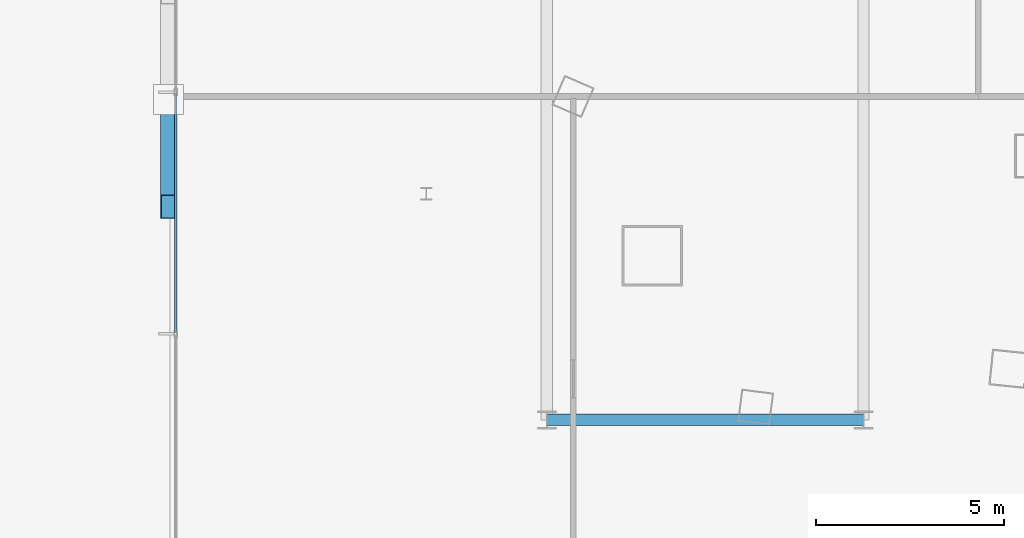
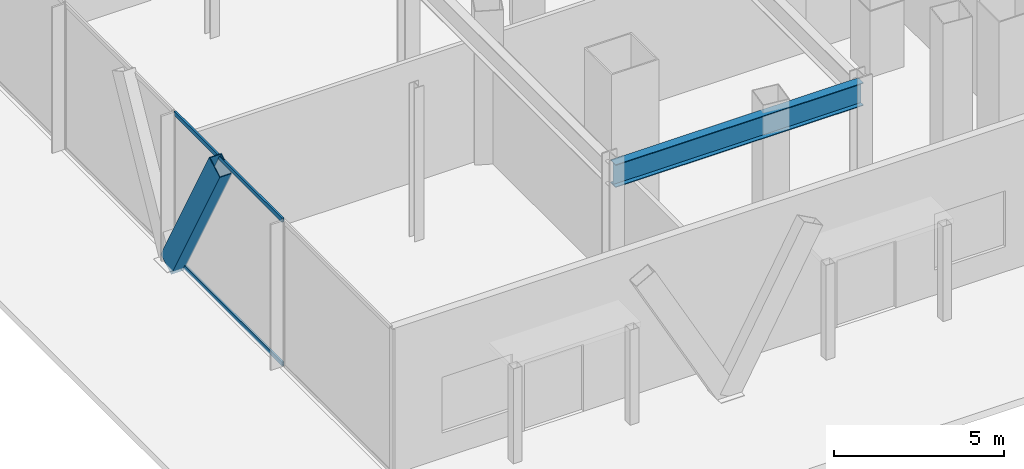
# One storey, part 6 of 38: 3 members, 1 beam, 1 element without a shape of its own.
"""IFC4 building model written with IfcOpenShell, lengths in metres."""

from ifc_helpers import new_model, si_unit, direction, frame, origin, origin_2d, place, context, subcontext, project, spatial, hollow_rectangle, i_section, extrude, material, layer, layer_set, material_profile, profile_set, type_object, element, aggregate, save


model = new_model("IFC4")

# Units and contexts
model_context = context("Model", 3, precision=1e-05, world=origin(), true_north=direction((0.0, 1.0)))
body_context = subcontext(model_context, "Body", "Model", "MODEL_VIEW")
ifc_project = project(units=[si_unit("LENGTHUNIT", "METRE"), si_unit("AREAUNIT", "SQUARE_METRE"), si_unit("VOLUMEUNIT", "CUBIC_METRE"), si_unit("PLANEANGLEUNIT", "RADIAN"), si_unit("MASSUNIT", "GRAM", prefix="KILO")], contexts=[model_context])

# Site, building, storey
site_placement = place(None, origin())
site = spatial("IfcSite", under=ifc_project, at=site_placement, CompositionType="ELEMENT")
building_placement = place(site_placement, origin())
building = spatial("IfcBuilding", under=site, at=building_placement, Name="Orvanel Arch Residences", CompositionType="ELEMENT")
storey_placement = place(building_placement, origin())
storey = spatial("IfcBuildingStorey", under=building, at=storey_placement, Name="L00", CompositionType="ELEMENT", Elevation=0.0)

# Beam
ifc_material_1 = material(Name="Structural steel AS/NZS 3678 Grade 350", Category="steel")
ifc_material_profile_1 = material_profile(ifc_material_1, i_section(OverallWidth=0.300048828125, OverallDepth=0.81591796875, WebThickness=0.013916015625, FlangeThickness=0.02392578125, at=origin_2d()), Name="800WB192")
ifc_profile_set_1 = profile_set([ifc_material_profile_1], Name="Structural steel AS/NZS 3678 Grade 350")
beam_type = type_object("IfcBeamType", Name="BG-800WB", PredefinedType="BEAM", material=ifc_profile_set_1)
beam_placement = place(storey_placement, frame((11.39990234375, 6.0, 4.81201171875), z_axis=(1.0, 0.0, 0.0), x_axis=(0.0, 1.0, 0.0)))
element("IfcBeam", 1, at=beam_placement, inside=storey, type_object=beam_type, Name="L00 BG-800WB beam", PredefinedType="BEAM", context=body_context, shape_type="SweptSolid", body=[
    extrude(i_section(OverallWidth=0.300048828125, OverallDepth=0.81591796875, WebThickness=0.013916015625, FlangeThickness=0.02392578125, at=origin_2d()), origin(), (0.0, 0.0, 1.0), 8.400146484375),
])

# Member
ifc_material_profile_2 = material_profile(ifc_material_1, hollow_rectangle(XDim=0.419921875, YDim=0.719970703125, WallThickness=0.02490234375, at=origin_2d()), Name="RHS720x420x25")
ifc_profile_set_2 = profile_set([ifc_material_profile_2], Name="Structural steel AS/NZS 3678 Grade 350")
member_type_1 = type_object("IfcMemberType", Name="BR-720RHS-EXT", PredefinedType="BRACE", material=ifc_profile_set_2)
member_1_placement = place(storey_placement, frame((1.360107421875, 14.5, 0.0), z_axis=(0.0, -0.48010111861, 0.877213153065), x_axis=(1.0, 0.0, 0.0)))
element("IfcMember", 2, at=member_1_placement, inside=storey, type_object=member_type_1, Name="L00 Podium Multi-Storey V-Strut Pair W1 Leg 1", PredefinedType="BRACE", context=body_context, shape_type="SweptSolid", body=[
    extrude(hollow_rectangle(XDim=0.419921875, YDim=0.719970703125, WallThickness=0.02490234375, at=origin_2d()), origin(), (0.0, 0.0, 1.0), 5.927734375),
])

# Curtain wall, members
ifc_material_2 = material(Name="Bronze-anodised aluminium AA6063-T6", Category="aluminium")
ifc_layer = layer(ifc_material_2, 0.199951171875)
ifc_layer_set = layer_set([ifc_layer], Name="Bronze-anodised aluminium AA6063-T6")
curtain_wall_type = type_object("IfcCurtainWallType", Name="CW1-POD-SYS", PredefinedType="NOTDEFINED", material=ifc_layer_set)
curtain_wall_placement = place(storey_placement, origin())
curtain_wall = element("IfcCurtainWall", 3, at=curtain_wall_placement, inside=storey, type_object=curtain_wall_type, Name="L00 CW1-POD-SYS Unitised Curtain Wall", PredefinedType="NOTDEFINED")
ifc_material_profile_3 = material_profile(ifc_material_2, hollow_rectangle(XDim=0.06494140625, YDim=0.14990234375, WallThickness=0.00390625, at=origin_2d()), Name="ALU150x65x4")
ifc_profile_set_3 = profile_set([ifc_material_profile_3], Name="Bronze-anodised aluminium AA6063-T6")
member_type_2 = type_object("IfcMemberType", Name="TRN-150x65", PredefinedType="USERDEFINED", material=ifc_profile_set_3)
member_2_placement = place(storey_placement, frame((1.550048828125, 14.659912109375, 0.032470703125), z_axis=(0.0, -1.0, 0.0), x_axis=(1.0, 0.0, 0.0)))
member_2 = element("IfcMember", 4, at=member_2_placement, type_object=member_type_2, Name="CW-S1 transom 7.1", ObjectType="TRANSOM", PredefinedType="USERDEFINED", context=body_context, shape_type="SweptSolid", body=[
    extrude(hollow_rectangle(XDim=0.06494140625, YDim=0.14990234375, WallThickness=0.00390625, at=origin_2d()), origin(), (0.0, 0.0, 1.0), 6.338623046875),
])
member_3_placement = place(storey_placement, frame((1.550048828125, 14.659912109375, 5.1875), z_axis=(0.0, -1.0, 0.0), x_axis=(1.0, 0.0, 0.0)))
member_3 = element("IfcMember", 5, at=member_3_placement, type_object=member_type_2, Name="CW-S1 transom 7.2", ObjectType="TRANSOM", PredefinedType="USERDEFINED", context=body_context, shape_type="SweptSolid", body=[
    extrude(hollow_rectangle(XDim=0.06494140625, YDim=0.14990234375, WallThickness=0.00390625, at=origin_2d()), origin(), (0.0, 0.0, 1.0), 6.338623046875),
])
aggregate(curtain_wall, [member_2, member_3])

save(model, "model.ifc")
